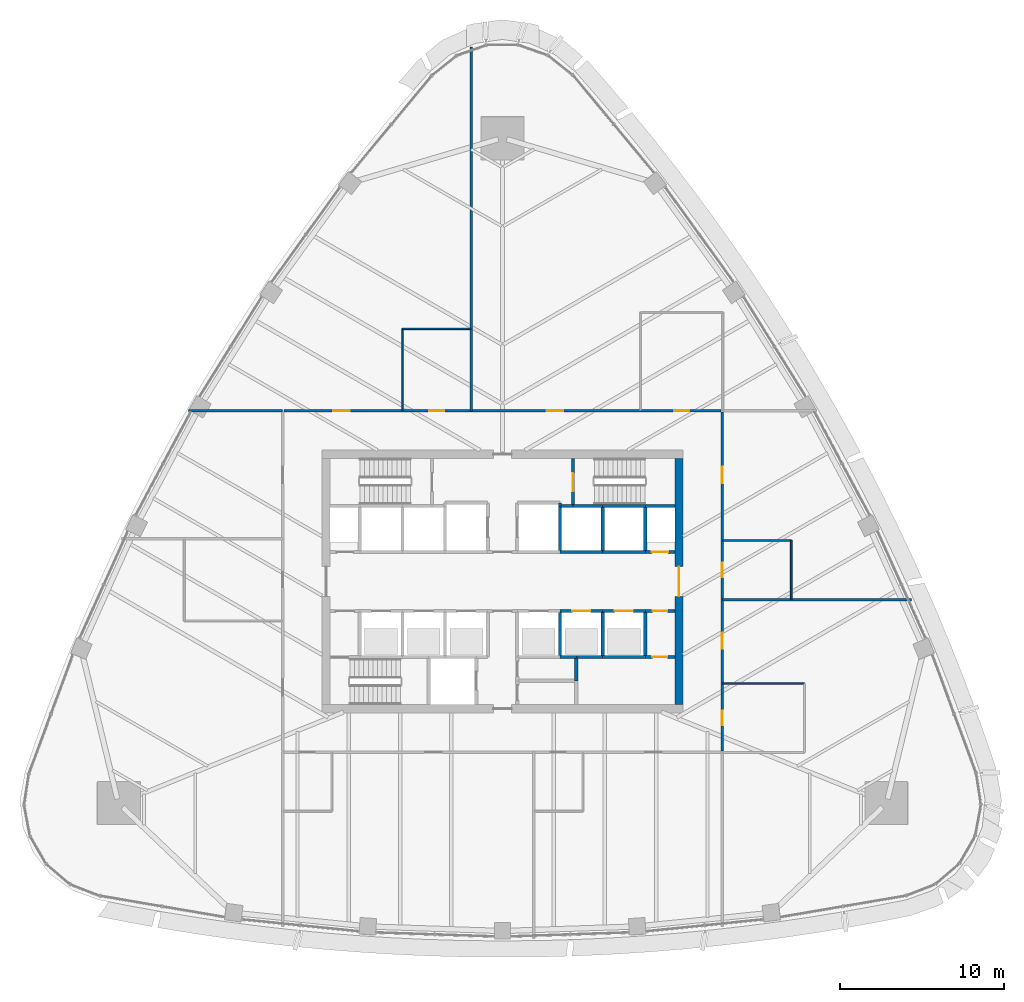
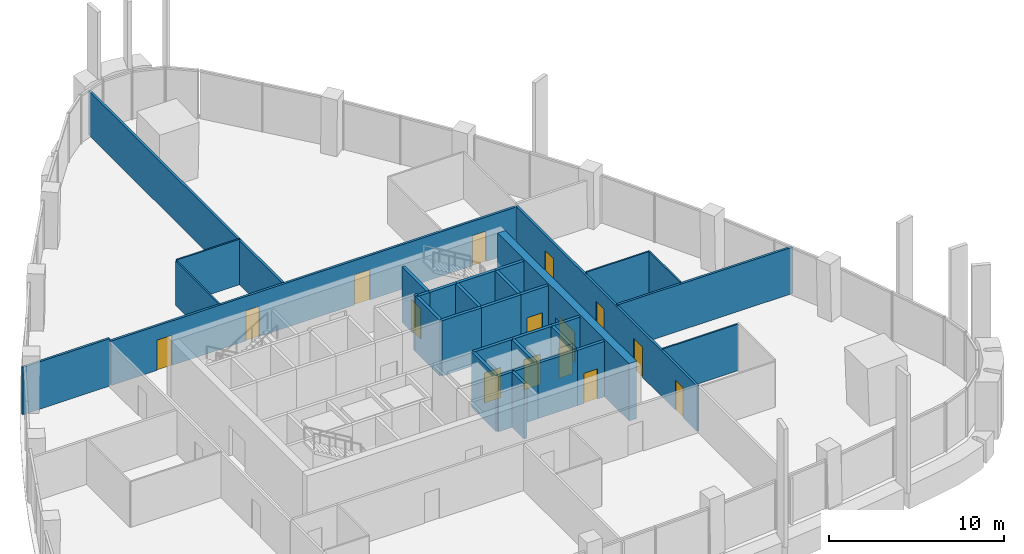
# One storey, part 11 of 19: 34 walls, 15 doors, 15 openings.
"""IFC4 building model written with IfcOpenShell, lengths in metres."""

from ifc_helpers import new_model, si_unit, direction, frame, frame_2d, origin, place, context, subcontext, project, spatial, rectangle, extrude, material, layer, layer_set, type_object, element, fill, save


model = new_model("IFC4")

# Units and contexts
model_context = context("Model", 3, precision=1e-05, world=origin(), true_north=direction((0.0, 1.0)))
body_context = subcontext(model_context, "Body", "Model", "MODEL_VIEW")
ifc_project = project(units=[si_unit("LENGTHUNIT", "METRE"), si_unit("AREAUNIT", "SQUARE_METRE"), si_unit("VOLUMEUNIT", "CUBIC_METRE"), si_unit("PLANEANGLEUNIT", "RADIAN"), si_unit("MASSUNIT", "GRAM", prefix="KILO")], contexts=[model_context])

# Site, building, storey
site_placement = place(None, origin())
site = spatial("IfcSite", under=ifc_project, at=site_placement, CompositionType="ELEMENT")
building_placement = place(site_placement, origin())
building = spatial("IfcBuilding", under=site, at=building_placement, Name="Sierra Prisma Convention Tower", CompositionType="ELEMENT")
storey_placement = place(building_placement, frame((0.0, 0.0, 185.800048828125)))
storey = spatial("IfcBuildingStorey", under=building, at=storey_placement, Name="L41", CompositionType="ELEMENT", Elevation=185.800048828125)

# Walls
ifc_material_1 = material(Name="Gypsum board partition", Category="gypsum")
ifc_layer_1 = layer(ifc_material_1, 0.10009765625)
ifc_layer_set_1 = layer_set([ifc_layer_1], Name="Bathroom partition 100")
wall_type_1 = type_object("IfcWallType", Name="Bathroom partition 100", PredefinedType="PARTITIONING", material=ifc_layer_set_1)
wall_1_placement = place(storey_placement, frame((-6.10009765625, 10.429931640625, 0.0), z_axis=(0.0, 0.0, 1.0), x_axis=(0.0, 1.0, 0.0)))
element("IfcWall", 1, at=wall_1_placement, inside=storey, type_object=wall_type_1, Name="Partition L41 bath 5", PredefinedType="PARTITIONING", context=body_context, shape_type="SweptSolid", body=[
    extrude(rectangle(XDim=4.969970703125, YDim=0.10009765625, at=frame_2d((2.48486328125, 0.0))), origin(), (0.0, 0.0, 1.0), 3.096923828125),
])
wall_2_placement = place(storey_placement, frame((-6.10009765625, 15.39990234375, 0.0), z_axis=(0.0, 0.0, 1.0), x_axis=(1.0, 0.0, 0.0)))
element("IfcWall", 2, at=wall_2_placement, inside=storey, type_object=wall_type_1, Name="Partition L41 bath 6", PredefinedType="PARTITIONING", context=body_context, shape_type="SweptSolid", body=[
    extrude(rectangle(XDim=4.170166015625, YDim=0.10009765625, at=frame_2d((2.0849609375, 0.0))), origin(), (0.0, 0.0, 1.0), 3.1669921875),
])
wall_3_placement = place(storey_placement, frame((13.429931640625, -6.219970703125, 0.0), z_axis=(0.0, 0.0, 1.0), x_axis=(1.0, 0.0, 0.0)))
element("IfcWall", 3, at=wall_3_placement, inside=storey, type_object=wall_type_1, Name="Partition L41 bath 12", PredefinedType="PARTITIONING", context=body_context, shape_type="SweptSolid", body=[
    extrude(rectangle(XDim=4.969970703125, YDim=0.10009765625, at=frame_2d((2.48486328125, 0.0))), origin(), (0.0, 0.0, 1.0), 3.2470703125),
])
wall_4_placement = place(storey_placement, frame((13.429931640625, 2.5, 0.0), z_axis=(0.0, 0.0, 1.0), x_axis=(1.0, 0.0, 0.0)))
element("IfcWall", 4, at=wall_4_placement, inside=storey, type_object=wall_type_1, Name="Partition L41 bath 15", PredefinedType="PARTITIONING", context=body_context, shape_type="SweptSolid", body=[
    extrude(rectangle(XDim=4.170166015625, YDim=0.10009765625, at=frame_2d((2.0849609375, 0.0))), origin(), (0.0, 0.0, 1.0), 3.300048828125),
])
wall_5_placement = place(storey_placement, frame((17.60009765625, 2.5, 0.0), z_axis=(0.0, 0.0, 1.0), x_axis=(0.0, -1.0, 0.0)))
element("IfcWall", 5, at=wall_5_placement, inside=storey, type_object=wall_type_1, Name="Partition L41 bath 16", PredefinedType="PARTITIONING", context=body_context, shape_type="SweptSolid", body=[
    extrude(rectangle(XDim=3.570068359375, YDim=0.10009765625, at=frame_2d((1.78515625, 0.0))), origin(), (0.0, 0.0, 1.0), 3.300048828125),
])
ifc_material_2 = material(Name="Concrete C30/37", Category="concrete")
ifc_layer_2 = layer(ifc_material_2, 0.199951171875)
ifc_layer_set_2 = layer_set([ifc_layer_2], Name="Core wall RC 200 C30/37")
wall_type_2 = type_object("IfcWallType", Name="Core wall RC 200 C30/37", PredefinedType="SOLIDWALL", material=ifc_layer_set_2)
wall_6_placement = place(storey_placement, frame((3.5, 4.60009765625, 0.0), z_axis=(0.0, 0.0, 1.0), x_axis=(0.0, 1.0, 0.0)))
element("IfcWall", 6, at=wall_6_placement, inside=storey, type_object=wall_type_2, Name="Core wall L41 41", PredefinedType="SOLIDWALL", context=body_context, shape_type="SweptSolid", body=[
    extrude(rectangle(XDim=0.199951171875, YDim=0.199951171875, at=frame_2d((0.10009765625, 0.0))), origin(), (0.0, 0.0, 1.0), 3.849853515625),
])
wall_7_placement = place(storey_placement, frame((4.5, -4.60009765625, 0.0), z_axis=(0.0, 0.0, 1.0), x_axis=(-1.0, 0.0, 0.0)))
element("IfcWall", 7, at=wall_7_placement, inside=storey, type_object=wall_type_2, Name="Core wall L41 44", PredefinedType="SOLIDWALL", context=body_context, shape_type="SweptSolid", body=[
    extrude(rectangle(XDim=1.0, YDim=0.199951171875, at=frame_2d((0.5, 0.0))), origin(), (0.0, 0.0, 1.0), 3.849853515625),
])
wall_8_placement = place(storey_placement, frame((3.5, -4.60009765625, 0.0), z_axis=(0.0, 0.0, 1.0), x_axis=(0.0, 1.0, 0.0)))
element("IfcWall", 8, at=wall_8_placement, inside=storey, type_object=wall_type_2, Name="Core wall L41 45", PredefinedType="SOLIDWALL", context=body_context, shape_type="SweptSolid", body=[
    extrude(rectangle(XDim=2.800048828125, YDim=0.199951171875, at=frame_2d((1.39990234375, 0.0))), origin(), (0.0, 0.0, 1.0), 3.849853515625),
])

# Wall, opening, door
wall_9_placement = place(storey_placement, frame((3.5, -1.800048828125, 0.0), z_axis=(0.0, 0.0, 1.0), x_axis=(1.0, 0.0, 0.0)))
wall_9 = element("IfcWall", 9, at=wall_9_placement, inside=storey, type_object=wall_type_2, Name="Core wall L41 46", PredefinedType="SOLIDWALL", context=body_context, shape_type="SweptSolid", body=[
    extrude(rectangle(XDim=2.60009765625, YDim=0.199951171875, at=frame_2d((1.300048828125, 0.0))), origin(), (0.0, 0.0, 1.0), 3.849853515625),
])
opening_1_placement = place(wall_9_placement, frame((0.75, 0.0, 0.0)))
opening_1 = element("IfcOpeningElement", 10, at=opening_1_placement, cuts=wall_9, Name="Opening L41-D005", PredefinedType="OPENING", context=body_context, shape_type="SweptSolid", body=[
    extrude(rectangle(XDim=1.10009765625, YDim=2.10009765625, at=frame_2d((0.550048828125, 1.050048828125))), frame((0.0, 0.10009765625, 0.0), z_axis=(0.0, -1.0, 0.0), x_axis=(1.0, 0.0, 0.0)), (0.0, 0.0, 1.0), 0.199951171875),
])
ifc_material_3 = material(Name="Steel fire door leaf", Category="steel")
door_type_1 = type_object("IfcDoorType", Name="Door 1100x2100 EI 90 sliding lift landing", OperationType="SLIDING_TO_LEFT", PredefinedType="DOOR", material=ifc_material_3)
door_1_placement = place(opening_1_placement, origin())
door_1 = element("IfcDoor", 11, at=door_1_placement, inside=storey, type_object=door_type_1, Name="Door L41 20", OperationType="SLIDING_TO_LEFT", OverallHeight=2.10009765625, OverallWidth=1.10009765625, PredefinedType="DOOR", context=body_context, shape_type="SweptSolid", body=[
    extrude(rectangle(XDim=1.10009765625, YDim=2.10009765625, at=frame_2d((0.550048828125, 1.050048828125))), frame((0.0, 0.02490234375, 0.0), z_axis=(0.0, -1.0, 0.0), x_axis=(1.0, 0.0, 0.0)), (0.0, 0.0, 1.0), 0.050048828125),
])
fill(opening_1, door_1)

# Walls
wall_10_placement = place(storey_placement, frame((6.10009765625, 1.800048828125, 0.0), z_axis=(0.0, 0.0, 1.0), x_axis=(-1.0, 0.0, 0.0)))
element("IfcWall", 12, at=wall_10_placement, inside=storey, type_object=wall_type_2, Name="Core wall L41 47", PredefinedType="SOLIDWALL", context=body_context, shape_type="SweptSolid", body=[
    extrude(rectangle(XDim=2.60009765625, YDim=0.199951171875, at=frame_2d((1.300048828125, 0.0))), origin(), (0.0, 0.0, 1.0), 3.849853515625),
])
wall_11_placement = place(storey_placement, frame((3.5, 1.800048828125, 0.0), z_axis=(0.0, 0.0, 1.0), x_axis=(0.0, 1.0, 0.0)))
element("IfcWall", 13, at=wall_11_placement, inside=storey, type_object=wall_type_2, Name="Core wall L41 48", PredefinedType="SOLIDWALL", context=body_context, shape_type="SweptSolid", body=[
    extrude(rectangle(XDim=2.800048828125, YDim=0.199951171875, at=frame_2d((1.39990234375, 0.0))), origin(), (0.0, 0.0, 1.0), 3.849853515625),
])
wall_12_placement = place(storey_placement, frame((4.300048828125, 4.60009765625, 0.0), z_axis=(0.0, 0.0, 1.0), x_axis=(-1.0, 0.0, 0.0)))
element("IfcWall", 14, at=wall_12_placement, inside=storey, type_object=wall_type_2, Name="Core wall L41 49", PredefinedType="SOLIDWALL", context=body_context, shape_type="SweptSolid", body=[
    extrude(rectangle(XDim=0.800048828125, YDim=0.199951171875, at=frame_2d((0.39990234375, 0.0))), origin(), (0.0, 0.0, 1.0), 3.849853515625),
])
wall_13_placement = place(storey_placement, frame((6.10009765625, 4.60009765625, 0.0), z_axis=(0.0, 0.0, 1.0), x_axis=(-1.0, 0.0, 0.0)))
element("IfcWall", 15, at=wall_13_placement, inside=storey, type_object=wall_type_2, Name="Core wall L41 50", PredefinedType="SOLIDWALL", context=body_context, shape_type="SweptSolid", body=[
    extrude(rectangle(XDim=1.800048828125, YDim=0.199951171875, at=frame_2d((0.89990234375, 0.0))), origin(), (0.0, 0.0, 1.0), 3.849853515625),
])

# Wall, opening, door
wall_14_placement = place(storey_placement, frame((4.300048828125, 7.5, 0.0), z_axis=(0.0, 0.0, 1.0), x_axis=(0.0, -1.0, 0.0)))
wall_14 = element("IfcWall", 16, at=wall_14_placement, inside=storey, type_object=wall_type_2, Name="Core wall L41 51", PredefinedType="SOLIDWALL", context=body_context, shape_type="SweptSolid", body=[
    extrude(rectangle(XDim=2.89990234375, YDim=0.199951171875, at=frame_2d((1.449951171875, 0.0))), origin(), (0.0, 0.0, 1.0), 3.849853515625),
])
opening_2_placement = place(wall_14_placement, frame((0.89990234375, 0.0, 0.0)))
opening_2 = element("IfcOpeningElement", 17, at=opening_2_placement, cuts=wall_14, Name="Opening L41-D017", PredefinedType="OPENING", context=body_context, shape_type="SweptSolid", body=[
    extrude(rectangle(XDim=1.10009765625, YDim=2.10009765625, at=frame_2d((0.550048828125, 1.050048828125))), frame((0.0, 0.10009765625, 0.0), z_axis=(0.0, -1.0, 0.0), x_axis=(1.0, 0.0, 0.0)), (0.0, 0.0, 1.0), 0.199951171875),
])
ifc_material_4 = material(Name="Steel fire door leaf", Category="steel")
door_type_2 = type_object("IfcDoorType", Name="Door 1100x2100 FD90S", OperationType="SINGLE_SWING_LEFT", PredefinedType="DOOR", material=ifc_material_4)
door_2_placement = place(opening_2_placement, origin())
door_2 = element("IfcDoor", 18, at=door_2_placement, inside=storey, type_object=door_type_2, Name="Door L41 32", OperationType="SINGLE_SWING_LEFT", OverallHeight=2.10009765625, OverallWidth=1.10009765625, PredefinedType="DOOR", context=body_context, shape_type="SweptSolid", body=[
    extrude(rectangle(XDim=1.10009765625, YDim=2.10009765625, at=frame_2d((0.550048828125, 1.050048828125))), frame((0.0, 0.02490234375, 0.0), z_axis=(0.0, -1.0, 0.0), x_axis=(1.0, 0.0, 0.0)), (0.0, 0.0, 1.0), 0.050048828125),
])
fill(opening_2, door_2)

# Walls
wall_15_placement = place(storey_placement, frame((4.5, -4.60009765625, 0.0), z_axis=(0.0, 0.0, 1.0), x_axis=(0.0, -1.0, 0.0)))
element("IfcWall", 19, at=wall_15_placement, inside=storey, type_object=wall_type_2, Name="Core wall L41 53", PredefinedType="SOLIDWALL", context=body_context, shape_type="SweptSolid", body=[
    extrude(rectangle(XDim=1.449951171875, YDim=0.199951171875, at=frame_2d((0.72509765625, 0.0))), origin(), (0.0, 0.0, 1.0), 3.849853515625),
])
wall_16_placement = place(storey_placement, frame((6.10009765625, -4.60009765625, 0.0), z_axis=(0.0, 0.0, 1.0), x_axis=(-1.0, 0.0, 0.0)))
element("IfcWall", 20, at=wall_16_placement, inside=storey, type_object=wall_type_2, Name="Core wall L41 54", PredefinedType="SOLIDWALL", context=body_context, shape_type="SweptSolid", body=[
    extrude(rectangle(XDim=1.60009765625, YDim=0.199951171875, at=frame_2d((0.800048828125, 0.0))), origin(), (0.0, 0.0, 1.0), 3.849853515625),
])
wall_17_placement = place(storey_placement, frame((8.699951171875, -4.60009765625, 0.0), z_axis=(0.0, 0.0, 1.0), x_axis=(-1.0, 0.0, 0.0)))
element("IfcWall", 21, at=wall_17_placement, inside=storey, type_object=wall_type_2, Name="Core wall L41 55", PredefinedType="SOLIDWALL", context=body_context, shape_type="SweptSolid", body=[
    extrude(rectangle(XDim=2.599853515625, YDim=0.199951171875, at=frame_2d((1.2998046875, 0.0))), origin(), (0.0, 0.0, 1.0), 3.849853515625),
])
wall_18_placement = place(storey_placement, frame((6.10009765625, -4.60009765625, 0.0), z_axis=(0.0, 0.0, 1.0), x_axis=(0.0, 1.0, 0.0)))
element("IfcWall", 22, at=wall_18_placement, inside=storey, type_object=wall_type_2, Name="Core wall L41 56", PredefinedType="SOLIDWALL", context=body_context, shape_type="SweptSolid", body=[
    extrude(rectangle(XDim=2.800048828125, YDim=0.199951171875, at=frame_2d((1.39990234375, 0.0))), origin(), (0.0, 0.0, 1.0), 3.849853515625),
])

# Wall, opening, door
wall_19_placement = place(storey_placement, frame((6.10009765625, -1.800048828125, 0.0), z_axis=(0.0, 0.0, 1.0), x_axis=(1.0, 0.0, 0.0)))
wall_19 = element("IfcWall", 23, at=wall_19_placement, inside=storey, type_object=wall_type_2, Name="Core wall L41 57", PredefinedType="SOLIDWALL", context=body_context, shape_type="SweptSolid", body=[
    extrude(rectangle(XDim=2.599853515625, YDim=0.199951171875, at=frame_2d((1.2998046875, 0.0))), origin(), (0.0, 0.0, 1.0), 3.849853515625),
])
opening_3_placement = place(wall_19_placement, frame((0.75, 0.0, 0.0)))
opening_3 = element("IfcOpeningElement", 24, at=opening_3_placement, cuts=wall_19, Name="Opening L41-D006", PredefinedType="OPENING", context=body_context, shape_type="SweptSolid", body=[
    extrude(rectangle(XDim=1.10009765625, YDim=2.10009765625, at=frame_2d((0.550048828125, 1.050048828125))), frame((0.0, 0.10009765625, 0.0), z_axis=(0.0, -1.0, 0.0), x_axis=(1.0, 0.0, 0.0)), (0.0, 0.0, 1.0), 0.199951171875),
])
door_3_placement = place(opening_3_placement, origin())
door_3 = element("IfcDoor", 25, at=door_3_placement, inside=storey, type_object=door_type_1, Name="Door L41 21", OperationType="SLIDING_TO_RIGHT", OverallHeight=2.10009765625, OverallWidth=1.10009765625, PredefinedType="DOOR", context=body_context, shape_type="SweptSolid", body=[
    extrude(rectangle(XDim=1.10009765625, YDim=2.10009765625, at=frame_2d((0.550048828125, 1.050048828125))), frame((0.0, 0.02490234375, 0.0), z_axis=(0.0, -1.0, 0.0), x_axis=(1.0, 0.0, 0.0)), (0.0, 0.0, 1.0), 0.050048828125),
])
fill(opening_3, door_3)

# Walls
wall_20_placement = place(storey_placement, frame((8.699951171875, 1.800048828125, 0.0), z_axis=(0.0, 0.0, 1.0), x_axis=(-1.0, 0.0, 0.0)))
element("IfcWall", 26, at=wall_20_placement, inside=storey, type_object=wall_type_2, Name="Core wall L41 58", PredefinedType="SOLIDWALL", context=body_context, shape_type="SweptSolid", body=[
    extrude(rectangle(XDim=2.599853515625, YDim=0.199951171875, at=frame_2d((1.2998046875, 0.0))), origin(), (0.0, 0.0, 1.0), 3.849853515625),
])
wall_21_placement = place(storey_placement, frame((6.10009765625, 1.800048828125, 0.0), z_axis=(0.0, 0.0, 1.0), x_axis=(0.0, 1.0, 0.0)))
element("IfcWall", 27, at=wall_21_placement, inside=storey, type_object=wall_type_2, Name="Core wall L41 59", PredefinedType="SOLIDWALL", context=body_context, shape_type="SweptSolid", body=[
    extrude(rectangle(XDim=2.800048828125, YDim=0.199951171875, at=frame_2d((1.39990234375, 0.0))), origin(), (0.0, 0.0, 1.0), 3.849853515625),
])
wall_22_placement = place(storey_placement, frame((8.699951171875, 4.60009765625, 0.0), z_axis=(0.0, 0.0, 1.0), x_axis=(-1.0, 0.0, 0.0)))
element("IfcWall", 28, at=wall_22_placement, inside=storey, type_object=wall_type_2, Name="Core wall L41 60", PredefinedType="SOLIDWALL", context=body_context, shape_type="SweptSolid", body=[
    extrude(rectangle(XDim=2.599853515625, YDim=0.199951171875, at=frame_2d((1.2998046875, 0.0))), origin(), (0.0, 0.0, 1.0), 3.849853515625),
])

# Wall, opening, door
wall_23_placement = place(storey_placement, frame((10.5, -4.60009765625, 0.0), z_axis=(0.0, 0.0, 1.0), x_axis=(-1.0, 0.0, 0.0)))
wall_23 = element("IfcWall", 29, at=wall_23_placement, inside=storey, type_object=wall_type_2, Name="Core wall L41 61", PredefinedType="SOLIDWALL", context=body_context, shape_type="SweptSolid", body=[
    extrude(rectangle(XDim=1.800048828125, YDim=0.199951171875, at=frame_2d((0.89990234375, 0.0))), origin(), (0.0, 0.0, 1.0), 3.849853515625),
])
opening_4_placement = place(wall_23_placement, frame((0.4599609375, 0.0, 0.0)))
opening_4 = element("IfcOpeningElement", 30, at=opening_4_placement, cuts=wall_23, Name="Opening L41-D018", PredefinedType="OPENING", context=body_context, shape_type="SweptSolid", body=[
    extrude(rectangle(XDim=0.89990234375, YDim=2.10009765625, at=frame_2d((0.449951171875, 1.050048828125))), frame((0.0, 0.10009765625, 0.0), z_axis=(0.0, -1.0, 0.0), x_axis=(1.0, 0.0, 0.0)), (0.0, 0.0, 1.0), 0.199951171875),
])
ifc_material_5 = material(Name="Steel fire door leaf", Category="steel")
door_type_3 = type_object("IfcDoorType", Name="Door 900x2100 FD30S", OperationType="SINGLE_SWING_LEFT", PredefinedType="DOOR", material=ifc_material_5)
door_4_placement = place(opening_4_placement, origin())
door_4 = element("IfcDoor", 31, at=door_4_placement, inside=storey, type_object=door_type_3, Name="Door L41 33", OperationType="SINGLE_SWING_LEFT", OverallHeight=2.10009765625, OverallWidth=0.89990234375, PredefinedType="DOOR", context=body_context, shape_type="SweptSolid", body=[
    extrude(rectangle(XDim=0.89990234375, YDim=2.10009765625, at=frame_2d((0.449951171875, 1.050048828125))), frame((0.0, 0.02490234375, 0.0), z_axis=(0.0, -1.0, 0.0), x_axis=(1.0, 0.0, 0.0)), (0.0, 0.0, 1.0), 0.050048828125),
])
fill(opening_4, door_4)

# Wall
wall_24_placement = place(storey_placement, frame((8.699951171875, -1.800048828125, 0.0), z_axis=(0.0, 0.0, 1.0), x_axis=(0.0, -1.0, 0.0)))
element("IfcWall", 32, at=wall_24_placement, inside=storey, type_object=wall_type_2, Name="Core wall L41 62", PredefinedType="SOLIDWALL", context=body_context, shape_type="SweptSolid", body=[
    extrude(rectangle(XDim=2.800048828125, YDim=0.199951171875, at=frame_2d((1.39990234375, 0.0))), origin(), (0.0, 0.0, 1.0), 3.849853515625),
])

# Wall, opening, door
wall_25_placement = place(storey_placement, frame((8.699951171875, -1.800048828125, 0.0), z_axis=(0.0, 0.0, 1.0), x_axis=(1.0, 0.0, 0.0)))
wall_25 = element("IfcWall", 33, at=wall_25_placement, inside=storey, type_object=wall_type_2, Name="Core wall L41 63", PredefinedType="SOLIDWALL", context=body_context, shape_type="SweptSolid", body=[
    extrude(rectangle(XDim=1.800048828125, YDim=0.199951171875, at=frame_2d((0.89990234375, 0.0))), origin(), (0.0, 0.0, 1.0), 3.849853515625),
])
opening_5_placement = place(wall_25_placement, frame((0.449951171875, 0.0, 0.0)))
opening_5 = element("IfcOpeningElement", 34, at=opening_5_placement, cuts=wall_25, Name="Opening L41-D019", PredefinedType="OPENING", context=body_context, shape_type="SweptSolid", body=[
    extrude(rectangle(XDim=0.89990234375, YDim=2.10009765625, at=frame_2d((0.449951171875, 1.050048828125))), frame((0.0, 0.10009765625, 0.0), z_axis=(0.0, -1.0, 0.0), x_axis=(1.0, 0.0, 0.0)), (0.0, 0.0, 1.0), 0.199951171875),
])
door_5_placement = place(opening_5_placement, origin())
door_5 = element("IfcDoor", 35, at=door_5_placement, inside=storey, type_object=door_type_3, Name="Door L41 34", OperationType="SINGLE_SWING_LEFT", OverallHeight=2.10009765625, OverallWidth=0.89990234375, PredefinedType="DOOR", context=body_context, shape_type="SweptSolid", body=[
    extrude(rectangle(XDim=0.89990234375, YDim=2.10009765625, at=frame_2d((0.449951171875, 1.050048828125))), frame((0.0, 0.02490234375, 0.0), z_axis=(0.0, -1.0, 0.0), x_axis=(1.0, 0.0, 0.0)), (0.0, 0.0, 1.0), 0.050048828125),
])
fill(opening_5, door_5)

wall_26_placement = place(storey_placement, frame((10.5, 1.800048828125, 0.0), z_axis=(0.0, 0.0, 1.0), x_axis=(-1.0, 0.0, 0.0)))
wall_26 = element("IfcWall", 36, at=wall_26_placement, inside=storey, type_object=wall_type_2, Name="Core wall L41 64", PredefinedType="SOLIDWALL", context=body_context, shape_type="SweptSolid", body=[
    extrude(rectangle(XDim=1.800048828125, YDim=0.199951171875, at=frame_2d((0.89990234375, 0.0))), origin(), (0.0, 0.0, 1.0), 3.849853515625),
])
opening_6_placement = place(wall_26_placement, frame((0.39990234375, 0.0, 0.0)))
opening_6 = element("IfcOpeningElement", 37, at=opening_6_placement, cuts=wall_26, Name="Opening L41-D014", PredefinedType="OPENING", context=body_context, shape_type="SweptSolid", body=[
    extrude(rectangle(XDim=1.0, YDim=2.10009765625, at=frame_2d((0.5, 1.050048828125))), frame((0.0, 0.10009765625, 0.0), z_axis=(0.0, -1.0, 0.0), x_axis=(1.0, 0.0, 0.0)), (0.0, 0.0, 1.0), 0.199951171875),
])
ifc_material_6 = material(Name="Steel fire door leaf", Category="steel")
door_type_4 = type_object("IfcDoorType", Name="Door 1000x2100 FD60S", OperationType="SINGLE_SWING_LEFT", PredefinedType="DOOR", material=ifc_material_6)
door_6_placement = place(opening_6_placement, origin())
door_6 = element("IfcDoor", 38, at=door_6_placement, inside=storey, type_object=door_type_4, Name="Door L41 29", OperationType="SINGLE_SWING_LEFT", OverallHeight=2.10009765625, OverallWidth=1.0, PredefinedType="DOOR", context=body_context, shape_type="SweptSolid", body=[
    extrude(rectangle(XDim=1.0, YDim=2.10009765625, at=frame_2d((0.5, 1.050048828125))), frame((0.0, 0.02490234375, 0.0), z_axis=(0.0, -1.0, 0.0), x_axis=(1.0, 0.0, 0.0)), (0.0, 0.0, 1.0), 0.050048828125),
])
fill(opening_6, door_6)

# Walls
wall_27_placement = place(storey_placement, frame((8.699951171875, 4.60009765625, 0.0), z_axis=(0.0, 0.0, 1.0), x_axis=(0.0, -1.0, 0.0)))
element("IfcWall", 39, at=wall_27_placement, inside=storey, type_object=wall_type_2, Name="Core wall L41 65", PredefinedType="SOLIDWALL", context=body_context, shape_type="SweptSolid", body=[
    extrude(rectangle(XDim=2.800048828125, YDim=0.199951171875, at=frame_2d((1.39990234375, 0.0))), origin(), (0.0, 0.0, 1.0), 3.849853515625),
])
wall_28_placement = place(storey_placement, frame((10.5, 4.60009765625, 0.0), z_axis=(0.0, 0.0, 1.0), x_axis=(-1.0, 0.0, 0.0)))
element("IfcWall", 40, at=wall_28_placement, inside=storey, type_object=wall_type_2, Name="Core wall L41 66", PredefinedType="SOLIDWALL", context=body_context, shape_type="SweptSolid", body=[
    extrude(rectangle(XDim=1.800048828125, YDim=0.199951171875, at=frame_2d((0.89990234375, 0.0))), origin(), (0.0, 0.0, 1.0), 3.849853515625),
])

# Wall, opening, door
ifc_material_7 = material(Name="Concrete C60/75", Category="concrete")
ifc_layer_3 = layer(ifc_material_7, 0.5)
ifc_layer_set_3 = layer_set([ifc_layer_3], Name="Core wall RC 500 C60/75")
wall_type_3 = type_object("IfcWallType", Name="Core wall RC 500 C60/75", PredefinedType="SHEAR", material=ifc_layer_set_3)
wall_29_placement = place(storey_placement, frame((10.75, -7.5, 0.0), z_axis=(0.0, 0.0, 1.0), x_axis=(0.0, 1.0, 0.0)))
wall_29 = element("IfcWall", 41, at=wall_29_placement, inside=storey, type_object=wall_type_3, Name="Core wall E L41", PredefinedType="SHEAR", context=body_context, shape_type="SweptSolid", body=[
    extrude(rectangle(XDim=15.0, YDim=0.5, at=frame_2d((7.5, 0.0))), origin(), (0.0, 0.0, 1.0), 4.0),
])
opening_7_placement = place(wall_29_placement, frame((6.60009765625, 0.0, 0.0)))
opening_7 = element("IfcOpeningElement", 42, at=opening_7_placement, cuts=wall_29, Name="Opening L41-D037", PredefinedType="OPENING", context=body_context, shape_type="SweptSolid", body=[
    extrude(rectangle(XDim=1.800048828125, YDim=2.10009765625, at=frame_2d((0.89990234375, 1.050048828125))), frame((0.0, 0.25, 0.0), z_axis=(0.0, -1.0, 0.0), x_axis=(1.0, 0.0, 0.0)), (0.0, 0.0, 1.0), 0.5),
])
ifc_material_8 = material(Name="Steel fire door leaf", Category="steel")
door_type_5 = type_object("IfcDoorType", Name="Door 1800x2100 FD60S", OperationType="DOUBLE_DOOR_SINGLE_SWING", PredefinedType="DOOR", material=ifc_material_8)
door_7_placement = place(opening_7_placement, origin())
door_7 = element("IfcDoor", 43, at=door_7_placement, inside=storey, type_object=door_type_5, Name="Door L41 38", OperationType="DOUBLE_DOOR_SINGLE_SWING", OverallHeight=2.10009765625, OverallWidth=1.800048828125, PredefinedType="DOOR", context=body_context, shape_type="SweptSolid", body=[
    extrude(rectangle(XDim=1.800048828125, YDim=2.10009765625, at=frame_2d((0.89990234375, 1.050048828125))), frame((0.0, 0.02490234375, 0.0), z_axis=(0.0, -1.0, 0.0), x_axis=(1.0, 0.0, 0.0)), (0.0, 0.0, 1.0), 0.050048828125),
])
fill(opening_7, door_7)

# Wall, openings, doors
ifc_material_9 = material(Name="Gypsum board partition", Category="gypsum")
ifc_layer_4 = layer(ifc_material_9, 0.14990234375)
ifc_layer_set_4 = layer_set([ifc_layer_4], Name="Corridor wall 150 gypsum EI 60")
wall_type_4 = type_object("IfcWallType", Name="Corridor wall 150 gypsum EI 60", PredefinedType="PARTITIONING", material=ifc_layer_set_4)
wall_30_placement = place(storey_placement, frame((13.320068359375, 10.39990234375, 0.0), z_axis=(0.0, 0.0, 1.0), x_axis=(-1.0, 0.0, 0.0)))
wall_30 = element("IfcWall", 44, at=wall_30_placement, inside=storey, type_object=wall_type_4, Name="Partition L41 corr 3", PredefinedType="PARTITIONING", context=body_context, shape_type="SweptSolid", body=[
    extrude(rectangle(XDim=26.64013671875, YDim=0.14990234375, at=frame_2d((13.320068359375, 0.0))), origin(), (0.0, 0.0, 1.0), 3.096923828125),
])
opening_8_placement = place(wall_30_placement, frame((1.949951171875, 0.0, 0.0)))
opening_8 = element("IfcOpeningElement", 45, at=opening_8_placement, cuts=wall_30, Name="Opening L41-D024", PredefinedType="OPENING", context=body_context, shape_type="SweptSolid", body=[
    extrude(rectangle(XDim=0.89990234375, YDim=2.10009765625, at=frame_2d((0.449951171875, 1.050048828125))), frame((0.0, 0.074951171875, 0.0), z_axis=(0.0, -1.0, 0.0), x_axis=(1.0, 0.0, 0.0)), (0.0, 0.0, 1.0), 0.14990234375),
])
opening_9_placement = place(wall_30_placement, frame((9.610107421875, 0.0, 0.0)))
opening_9 = element("IfcOpeningElement", 46, at=opening_9_placement, cuts=wall_30, Name="Opening L41-D025", PredefinedType="OPENING", context=body_context, shape_type="SweptSolid", body=[
    extrude(rectangle(XDim=1.0, YDim=2.10009765625, at=frame_2d((0.5, 1.050048828125))), frame((0.0, 0.074951171875, 0.0), z_axis=(0.0, -1.0, 0.0), x_axis=(1.0, 0.0, 0.0)), (0.0, 0.0, 1.0), 0.14990234375),
])
opening_10_placement = place(wall_30_placement, frame((16.8701171875, 0.0, 0.0)))
opening_10 = element("IfcOpeningElement", 47, at=opening_10_placement, cuts=wall_30, Name="Opening L41-D026", PredefinedType="OPENING", context=body_context, shape_type="SweptSolid", body=[
    extrude(rectangle(XDim=0.89990234375, YDim=2.10009765625, at=frame_2d((0.449951171875, 1.050048828125))), frame((0.0, 0.074951171875, 0.0), z_axis=(0.0, -1.0, 0.0), x_axis=(1.0, 0.0, 0.0)), (0.0, 0.0, 1.0), 0.14990234375),
])
opening_11_placement = place(wall_30_placement, frame((22.6298828125, 0.0, 0.0)))
opening_11 = element("IfcOpeningElement", 48, at=opening_11_placement, cuts=wall_30, Name="Opening L41-D027", PredefinedType="OPENING", context=body_context, shape_type="SweptSolid", body=[
    extrude(rectangle(XDim=1.0, YDim=2.10009765625, at=frame_2d((0.5, 1.050048828125))), frame((0.0, 0.074951171875, 0.0), z_axis=(0.0, -1.0, 0.0), x_axis=(1.0, 0.0, 0.0)), (0.0, 0.0, 1.0), 0.14990234375),
])
ifc_material_10 = material(Name="Steel fire door leaf", Category="steel")
door_type_6 = type_object("IfcDoorType", Name="Door 1000x2100 FD30S", OperationType="SINGLE_SWING_LEFT", PredefinedType="DOOR", material=ifc_material_10)
door_8_placement = place(opening_9_placement, origin())
door_8 = element("IfcDoor", 49, at=door_8_placement, inside=storey, type_object=door_type_6, Name="Door L41 4", OperationType="SINGLE_SWING_LEFT", OverallHeight=2.10009765625, OverallWidth=1.0, PredefinedType="DOOR", context=body_context, shape_type="SweptSolid", body=[
    extrude(rectangle(XDim=1.0, YDim=2.10009765625, at=frame_2d((0.5, 1.050048828125))), frame((0.0, 0.02490234375, 0.0), z_axis=(0.0, -1.0, 0.0), x_axis=(1.0, 0.0, 0.0)), (0.0, 0.0, 1.0), 0.050048828125),
])
fill(opening_9, door_8)
door_9_placement = place(opening_11_placement, origin())
door_9 = element("IfcDoor", 50, at=door_9_placement, inside=storey, type_object=door_type_6, Name="Door L41 6", OperationType="SINGLE_SWING_RIGHT", OverallHeight=2.10009765625, OverallWidth=1.0, PredefinedType="DOOR", context=body_context, shape_type="SweptSolid", body=[
    extrude(rectangle(XDim=1.0, YDim=2.10009765625, at=frame_2d((0.5, 1.050048828125))), frame((0.0, 0.02490234375, 0.0), z_axis=(0.0, -1.0, 0.0), x_axis=(1.0, 0.0, 0.0)), (0.0, 0.0, 1.0), 0.050048828125),
])
fill(opening_11, door_9)
door_10_placement = place(opening_8_placement, origin())
door_10 = element("IfcDoor", 51, at=door_10_placement, inside=storey, type_object=door_type_3, Name="Door L41 3", OperationType="SINGLE_SWING_RIGHT", OverallHeight=2.10009765625, OverallWidth=0.89990234375, PredefinedType="DOOR", context=body_context, shape_type="SweptSolid", body=[
    extrude(rectangle(XDim=0.89990234375, YDim=2.10009765625, at=frame_2d((0.449951171875, 1.050048828125))), frame((0.0, 0.02490234375, 0.0), z_axis=(0.0, -1.0, 0.0), x_axis=(1.0, 0.0, 0.0)), (0.0, 0.0, 1.0), 0.050048828125),
])
fill(opening_8, door_10)
door_11_placement = place(opening_10_placement, origin())
door_11 = element("IfcDoor", 52, at=door_11_placement, inside=storey, type_object=door_type_3, Name="Door L41 5", OperationType="SINGLE_SWING_LEFT", OverallHeight=2.10009765625, OverallWidth=0.89990234375, PredefinedType="DOOR", context=body_context, shape_type="SweptSolid", body=[
    extrude(rectangle(XDim=0.89990234375, YDim=2.10009765625, at=frame_2d((0.449951171875, 1.050048828125))), frame((0.0, 0.02490234375, 0.0), z_axis=(0.0, -1.0, 0.0), x_axis=(1.0, 0.0, 0.0)), (0.0, 0.0, 1.0), 0.050048828125),
])
fill(opening_10, door_11)

wall_31_placement = place(storey_placement, frame((13.39990234375, -10.320068359375, 0.0), z_axis=(0.0, 0.0, 1.0), x_axis=(0.0, 1.0, 0.0)))
wall_31 = element("IfcWall", 53, at=wall_31_placement, inside=storey, type_object=wall_type_4, Name="Partition L41 corr 4", PredefinedType="PARTITIONING", context=body_context, shape_type="SweptSolid", body=[
    extrude(rectangle(XDim=20.64013671875, YDim=0.14990234375, at=frame_2d((10.320068359375, 0.0))), origin(), (0.0, 0.0, 1.0), 3.166015625),
])
opening_12_placement = place(wall_31_placement, frame((10.570068359375, 0.0, 0.0)))
opening_12 = element("IfcOpeningElement", 54, at=opening_12_placement, cuts=wall_31, Name="Opening L41-D022", PredefinedType="OPENING", context=body_context, shape_type="SweptSolid", body=[
    extrude(rectangle(XDim=0.89990234375, YDim=2.10009765625, at=frame_2d((0.449951171875, 1.050048828125))), frame((0.0, 0.074951171875, 0.0), z_axis=(0.0, -1.0, 0.0), x_axis=(1.0, 0.0, 0.0)), (0.0, 0.0, 1.0), 0.14990234375),
])
opening_13_placement = place(wall_31_placement, frame((16.320068359375, 0.0, 0.0)))
opening_13 = element("IfcOpeningElement", 55, at=opening_13_placement, cuts=wall_31, Name="Opening L41-D023", PredefinedType="OPENING", context=body_context, shape_type="SweptSolid", body=[
    extrude(rectangle(XDim=1.0, YDim=2.10009765625, at=frame_2d((0.5, 1.050048828125))), frame((0.0, 0.074951171875, 0.0), z_axis=(0.0, -1.0, 0.0), x_axis=(1.0, 0.0, 0.0)), (0.0, 0.0, 1.0), 0.14990234375),
])
opening_14_placement = place(wall_31_placement, frame((1.550048828125, 0.0, 0.0)))
opening_14 = element("IfcOpeningElement", 56, at=opening_14_placement, cuts=wall_31, Name="Opening L41-D035", PredefinedType="OPENING", context=body_context, shape_type="SweptSolid", body=[
    extrude(rectangle(XDim=0.89990234375, YDim=2.10009765625, at=frame_2d((0.449951171875, 1.050048828125))), frame((0.0, 0.074951171875, 0.0), z_axis=(0.0, -1.0, 0.0), x_axis=(1.0, 0.0, 0.0)), (0.0, 0.0, 1.0), 0.14990234375),
])
opening_15_placement = place(wall_31_placement, frame((6.2099609375, 0.0, 0.0)))
opening_15 = element("IfcOpeningElement", 57, at=opening_15_placement, cuts=wall_31, Name="Opening L41-D036", PredefinedType="OPENING", context=body_context, shape_type="SweptSolid", body=[
    extrude(rectangle(XDim=1.0, YDim=2.10009765625, at=frame_2d((0.5, 1.050048828125))), frame((0.0, 0.074951171875, 0.0), z_axis=(0.0, -1.0, 0.0), x_axis=(1.0, 0.0, 0.0)), (0.0, 0.0, 1.0), 0.14990234375),
])
door_12_placement = place(opening_13_placement, origin())
door_12 = element("IfcDoor", 58, at=door_12_placement, inside=storey, type_object=door_type_6, Name="Door L41 2", OperationType="SINGLE_SWING_LEFT", OverallHeight=2.10009765625, OverallWidth=1.0, PredefinedType="DOOR", context=body_context, shape_type="SweptSolid", body=[
    extrude(rectangle(XDim=1.0, YDim=2.10009765625, at=frame_2d((0.5, 1.050048828125))), frame((0.0, 0.02490234375, 0.0), z_axis=(0.0, -1.0, 0.0), x_axis=(1.0, 0.0, 0.0)), (0.0, 0.0, 1.0), 0.050048828125),
])
fill(opening_13, door_12)
door_13_placement = place(opening_15_placement, origin())
door_13 = element("IfcDoor", 59, at=door_13_placement, inside=storey, type_object=door_type_6, Name="Door L41 15", OperationType="SINGLE_SWING_RIGHT", OverallHeight=2.10009765625, OverallWidth=1.0, PredefinedType="DOOR", context=body_context, shape_type="SweptSolid", body=[
    extrude(rectangle(XDim=1.0, YDim=2.10009765625, at=frame_2d((0.5, 1.050048828125))), frame((0.0, 0.02490234375, 0.0), z_axis=(0.0, -1.0, 0.0), x_axis=(1.0, 0.0, 0.0)), (0.0, 0.0, 1.0), 0.050048828125),
])
fill(opening_15, door_13)
door_14_placement = place(opening_12_placement, origin())
door_14 = element("IfcDoor", 60, at=door_14_placement, inside=storey, type_object=door_type_3, Name="Door L41 1", OperationType="SINGLE_SWING_LEFT", OverallHeight=2.10009765625, OverallWidth=0.89990234375, PredefinedType="DOOR", context=body_context, shape_type="SweptSolid", body=[
    extrude(rectangle(XDim=0.89990234375, YDim=2.10009765625, at=frame_2d((0.449951171875, 1.050048828125))), frame((0.0, 0.02490234375, 0.0), z_axis=(0.0, -1.0, 0.0), x_axis=(1.0, 0.0, 0.0)), (0.0, 0.0, 1.0), 0.050048828125),
])
fill(opening_12, door_14)
door_15_placement = place(opening_14_placement, origin())
door_15 = element("IfcDoor", 61, at=door_15_placement, inside=storey, type_object=door_type_3, Name="Door L41 14", OperationType="SINGLE_SWING_LEFT", OverallHeight=2.10009765625, OverallWidth=0.89990234375, PredefinedType="DOOR", context=body_context, shape_type="SweptSolid", body=[
    extrude(rectangle(XDim=0.89990234375, YDim=2.10009765625, at=frame_2d((0.449951171875, 1.050048828125))), frame((0.0, 0.02490234375, 0.0), z_axis=(0.0, -1.0, 0.0), x_axis=(1.0, 0.0, 0.0)), (0.0, 0.0, 1.0), 0.050048828125),
])
fill(opening_14, door_15)

# Walls
ifc_material_11 = material(Name="Gypsum board partition", Category="gypsum")
ifc_layer_5 = layer(ifc_material_11, 0.14990234375)
ifc_layer_set_5 = layer_set([ifc_layer_5], Name="Party wall 150 gypsum")
wall_type_5 = type_object("IfcWallType", Name="Party wall 150 gypsum", PredefinedType="PARTITIONING", material=ifc_layer_set_5)
wall_32_placement = place(storey_placement, frame((-13.39990234375, 10.39990234375, 0.0), z_axis=(0.0, 0.0, 1.0), x_axis=(-1.0, 0.0, 0.0)))
element("IfcWall", 62, at=wall_32_placement, inside=storey, type_object=wall_type_5, Name="Partition L41 party 2", PredefinedType="PARTITIONING", context=body_context, shape_type="SweptSolid", body=[
    extrude(rectangle(XDim=5.740478515625, YDim=0.14990234375, at=frame_2d((2.8701171875, 0.0))), origin(), (0.0, 0.0, 1.0), 3.300048828125),
])
wall_33_placement = place(storey_placement, frame((-1.89990234375, 10.39990234375, 0.0), z_axis=(0.0, 0.0, 1.0), x_axis=(0.0, 1.0, 0.0)))
element("IfcWall", 63, at=wall_33_placement, inside=storey, type_object=wall_type_5, Name="Partition L41 party 4", PredefinedType="PARTITIONING", context=body_context, shape_type="SweptSolid", body=[
    extrude(rectangle(XDim=22.16015625, YDim=0.14990234375, at=frame_2d((11.080078125, 0.0))), origin(), (0.0, 0.0, 1.0), 3.083984375),
])
wall_34_placement = place(storey_placement, frame((24.926513671875, -1.10009765625, 0.0), z_axis=(0.0, 0.0, 1.0), x_axis=(-1.0, 0.0, 0.0)))
element("IfcWall", 64, at=wall_34_placement, inside=storey, type_object=wall_type_5, Name="Partition L41 party 7", PredefinedType="PARTITIONING", context=body_context, shape_type="SweptSolid", body=[
    extrude(rectangle(XDim=11.526611328125, YDim=0.14990234375, at=frame_2d((5.76318359375, 0.0))), origin(), (0.0, 0.0, 1.0), 3.23388671875),
])

save(model, "model.ifc")
